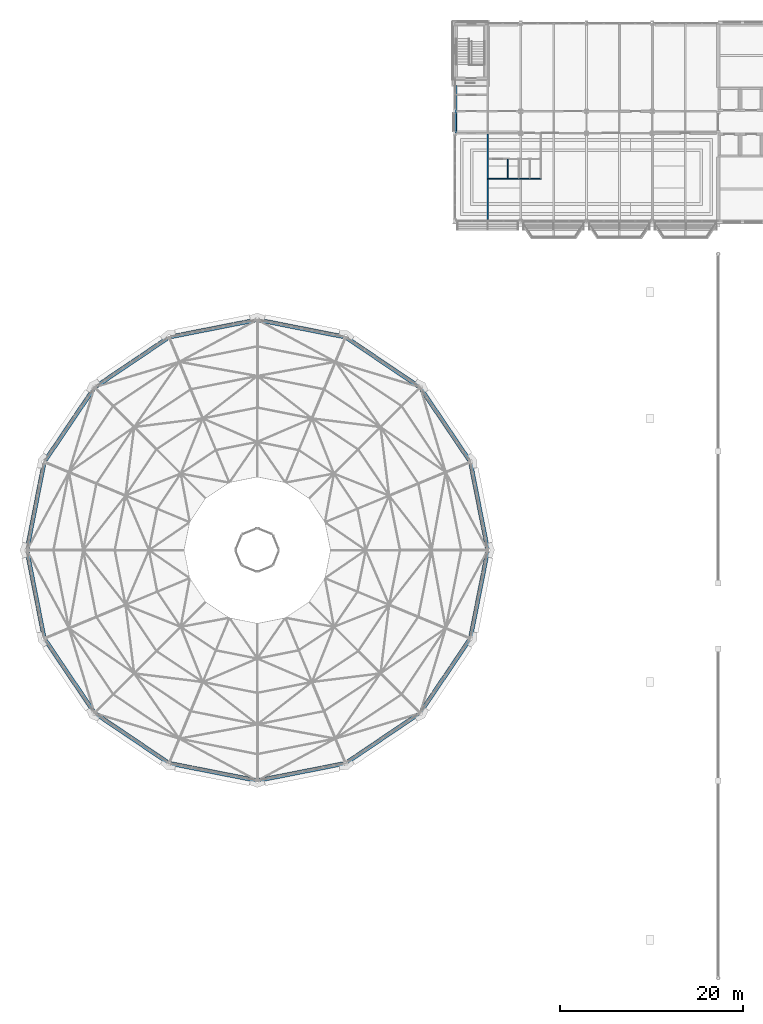
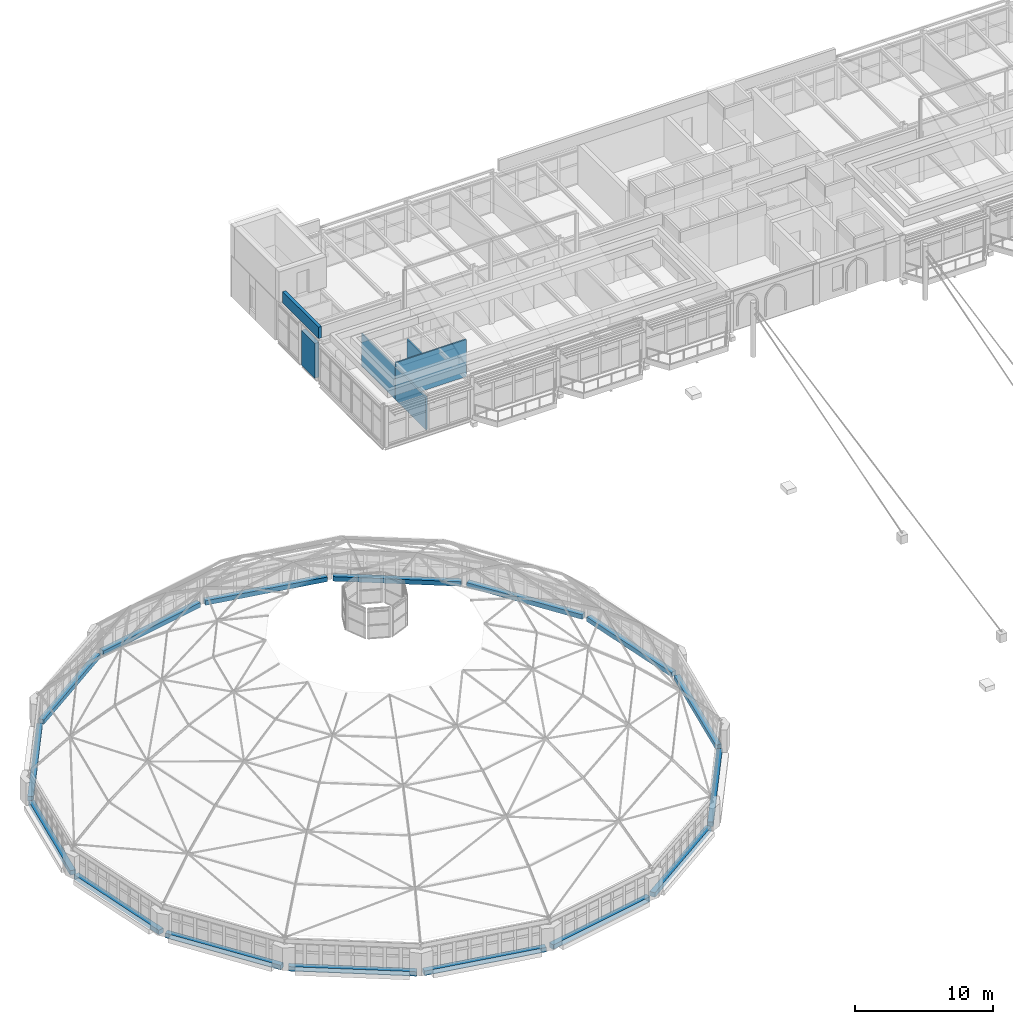
# One storey, part 48 of 68: 22 walls.
"""IFC4 building model written with IfcOpenShell, lengths in metres."""

import ifcopenshell
import ifcopenshell.guid

model = None  # the IFC model being written
_history = None  # IfcOwnerHistory: only IFC2X3 demands one
_inside = {}  # id of a spatial element -> (the spatial element, [elements in it])
_under = {}  # id of a project, library or spatial element -> (it, [spatial elements below it])
_declared = {}  # id of a project -> (the project, [libraries it declares])
_typed = {}  # id of a type object -> (the type object, [elements of that type])
_made_of = {}  # id of a material, layer set ... -> (it, [elements and type objects made of it])


def new_model(schema):
    """Start an empty IFC model of exactly this schema.

    Asked for "IFC4X3", IfcOpenShell would pick the latest addendum, in which some entities
    have other attributes; the version numbers below select the first issue.
    IFC2X3 requires an IfcOwnerHistory on every rooted entity: one is made here for all.
    """
    global model, _history
    if schema == "IFC4X3":
        model = ifcopenshell.file(schema_version=(4, 3, 0, 0))
    else:
        model = ifcopenshell.file(schema=schema)
    _inside.clear()
    _under.clear()
    _declared.clear()
    _typed.clear()
    _made_of.clear()
    _history = None
    if model.schema == "IFC2X3":
        org = make("IfcOrganization", Name="unknown")
        user = make(
            "IfcPersonAndOrganization",
            ThePerson=make("IfcPerson", FamilyName="unknown"),
            TheOrganization=org,
        )
        app = make(
            "IfcApplication",
            ApplicationDeveloper=org,
            Version="unknown",
            ApplicationFullName="unknown",
            ApplicationIdentifier="unknown",
        )
        _history = make(
            "IfcOwnerHistory",
            OwningUser=user,
            OwningApplication=app,
            ChangeAction="ADDED",
            CreationDate=0,
        )
    return model


def make(cls, **values):
    """One entity of the class cls with the attributes given. An attribute that is None is left unset."""
    return model.create_entity(
        cls, **{name: value for name, value in values.items() if value is not None}
    )


def rooted(cls, **values):
    """An entity with a GlobalId (a new one), such as an element, a storey or a relation."""
    return make(cls, GlobalId=ifcopenshell.guid.new(), OwnerHistory=_history, **values)


def si_unit(unit_type, name, prefix=None):
    """IfcSIUnit, for example si_unit("LENGTHUNIT", "METRE", prefix="MILLI")."""
    return make("IfcSIUnit", UnitType=unit_type, Prefix=prefix, Name=name)


def assignment(units):
    """IfcUnitAssignment: the units of a project."""
    return None if units is None else make("IfcUnitAssignment", Units=units)


def point(xyz):
    """IfcCartesianPoint."""
    return None if xyz is None else make("IfcCartesianPoint", Coordinates=xyz)


def direction(xyz):
    """IfcDirection."""
    return None if xyz is None else make("IfcDirection", DirectionRatios=xyz)


def frame(location, z_axis=None, x_axis=None):
    """IfcAxis2Placement3D, a coordinate frame: its origin and axes. An axis left out is left unset."""
    return make(
        "IfcAxis2Placement3D",
        Location=point(location),
        Axis=direction(z_axis),
        RefDirection=direction(x_axis),
    )


def frame_2d(location, x_axis=None):
    """IfcAxis2Placement2D, a coordinate frame in the plane: its origin and x axis."""
    return make(
        "IfcAxis2Placement2D", Location=point(location), RefDirection=direction(x_axis)
    )


def origin():
    """The frame at (0, 0, 0) with its axes left unset."""
    return frame((0.0, 0.0, 0.0))


def place(relative_to, where):
    """IfcLocalPlacement: puts the frame where relative to a parent placement (None: the world)."""
    return make(
        "IfcLocalPlacement", PlacementRelTo=relative_to, RelativePlacement=where
    )


def context(
    kind, dimensions, precision=None, world=None, true_north=None, identifier=None
):
    """IfcGeometricRepresentationContext, for example the 3D "Model" context."""
    return make(
        "IfcGeometricRepresentationContext",
        ContextIdentifier=identifier,
        ContextType=kind,
        CoordinateSpaceDimension=dimensions,
        Precision=precision,
        WorldCoordinateSystem=world,
        TrueNorth=true_north,
    )


def subcontext(parent, identifier, kind, view, scale=None):
    """IfcGeometricRepresentationSubContext, for example "Body" below "Model"."""
    return make(
        "IfcGeometricRepresentationSubContext",
        ContextIdentifier=identifier,
        ContextType=kind,
        ParentContext=parent,
        TargetScale=scale,
        TargetView=view,
    )


def project(units=None, contexts=None):
    """IfcProject with its units and contexts."""
    return rooted(
        "IfcProject",
        Name="project",
        RepresentationContexts=contexts,
        UnitsInContext=assignment(units),
    )


def spatial(cls, under=None, at=None, **own):
    """A site, building, storey or space (cls), placed at a placement, below another one or the project."""
    s = rooted(cls, ObjectPlacement=at, **own)
    if under is not None:
        _under.setdefault(under.id(), (under, []))[1].append(s)
    return s


def profile(cls, at=None, kind="AREA", **sizes):
    """A parametric profile (cls). Its sizes go by their IFC names, for example OverallWidth=200.0."""
    return make(cls, ProfileType=kind, Position=at, **sizes)


def rectangle(**sizes):
    """IfcRectangleProfileDef."""
    return profile("IfcRectangleProfileDef", **sizes)


def extrude(swept, where, along, depth):
    """IfcExtrudedAreaSolid: the profile swept, set in the frame where, extruded along a direction by depth."""
    return make(
        "IfcExtrudedAreaSolid",
        SweptArea=swept,
        Position=where,
        ExtrudedDirection=direction(along),
        Depth=depth,
    )


def shape(context_of_items, identifier, shape_type, items):
    """IfcShapeRepresentation: the items that make up one representation, for example the "Body"."""
    return make(
        "IfcShapeRepresentation",
        ContextOfItems=context_of_items,
        RepresentationIdentifier=identifier,
        RepresentationType=shape_type,
        Items=items,
    )


def material(Name=None, Category=None):
    """IfcMaterial."""
    return make("IfcMaterial", Name=Name, Category=Category)


def layer(
    of_material, thickness, ventilated=None, Name=None, Category=None, Priority=None
):
    """IfcMaterialLayer: one layer of a wall or slab, of a material (None: an air gap)."""
    return make(
        "IfcMaterialLayer",
        Material=of_material,
        LayerThickness=thickness,
        IsVentilated=ventilated,
        Name=Name,
        Category=Category,
        Priority=Priority,
    )


def layer_set(layers, Name=None):
    """IfcMaterialLayerSet."""
    return make("IfcMaterialLayerSet", MaterialLayers=layers, LayerSetName=Name)


def made_of(thing, what):
    """Note that an element or type object is made of a material, layer set ...; save() writes the relation."""
    if what is not None:
        _made_of.setdefault(what.id(), (what, []))[1].append(thing)
    return thing


def type_object(cls, material=None, **own):
    """A type object (cls), such as IfcWallType, which elements share."""
    return made_of(rooted(cls, **own), material)


def element(
    cls,
    number,
    at=None,
    inside=None,
    cuts=None,
    type_object=None,
    material=None,
    context=None,
    identifier="Body",
    shape_type=None,
    held_by="IfcProductDefinitionShape",
    body=None,
    shapes=None,
    **own,
):
    """One element of the class cls, such as IfcWall. Its Tag is "e" and its number.

    at: its placement. inside: the storey or other place that contains it. cuts: it is an
    opening in that element (IfcRelVoidsElement). A single representation is given by context,
    identifier, shape_type and body (its items); several are given by shapes. held_by: the class
    of the entity that holds the representations. save() writes the other relations.
    """
    e = rooted(cls, Tag="e%d" % number, ObjectPlacement=at, **own)
    if body is not None:
        shapes = [shape(context, identifier, shape_type, body)]
    if shapes is not None:
        e.Representation = make(held_by, Representations=shapes)
    if inside is not None:
        _inside.setdefault(inside.id(), (inside, []))[1].append(e)
    if cuts is not None:
        rooted(
            "IfcRelVoidsElement", RelatingBuildingElement=cuts, RelatedOpeningElement=e
        )
    if type_object is not None:
        _typed.setdefault(type_object.id(), (type_object, []))[1].append(e)
    return made_of(e, material)


def aggregate(whole, parts):
    """IfcRelAggregates: a whole, such as a stair, and the parts it consists of."""
    return rooted("IfcRelAggregates", RelatingObject=whole, RelatedObjects=parts)


def save(model, path):
    """Write the relations noted so far, then the file.

    IfcRelAggregates (storeys below a building ...), IfcRelContainedInSpatialStructure (elements
    in a storey), IfcRelDefinesByType, IfcRelAssociatesMaterial and IfcRelDeclares: one each for
    every whole, place, type object, material and project.
    """
    for whole, parts in _under.values():
        aggregate(whole, parts)
    for where, things in _inside.values():
        rooted(
            "IfcRelContainedInSpatialStructure",
            RelatedElements=things,
            RelatingStructure=where,
        )
    for kind, things in _typed.values():
        rooted("IfcRelDefinesByType", RelatedObjects=things, RelatingType=kind)
    for what, things in _made_of.values():
        rooted("IfcRelAssociatesMaterial", RelatedObjects=things, RelatingMaterial=what)
    for by, libraries in _declared.values():
        rooted("IfcRelDeclares", RelatingContext=by, RelatedDefinitions=libraries)
    model.write(path)


model = new_model("IFC4")

# Units and contexts
model_context = context("Model", 3, precision=1e-05, world=origin(), true_north=direction((0.0, 1.0)))
body_context = subcontext(model_context, "Body", "Model", "MODEL_VIEW")
ifc_project = project(units=[si_unit("LENGTHUNIT", "METRE"), si_unit("AREAUNIT", "SQUARE_METRE"), si_unit("VOLUMEUNIT", "CUBIC_METRE"), si_unit("PLANEANGLEUNIT", "RADIAN"), si_unit("MASSUNIT", "GRAM", prefix="KILO")], contexts=[model_context])

# Site, building, storey
site_placement = place(None, origin())
site = spatial("IfcSite", under=ifc_project, at=site_placement, CompositionType="ELEMENT")
building_placement = place(site_placement, origin())
building = spatial("IfcBuilding", under=site, at=building_placement, Name="Kupolbacken Congress Centre", CompositionType="ELEMENT")
storey_placement = place(building_placement, frame((0.0, 0.0, 25.199951171875)))
storey = spatial("IfcBuildingStorey", under=building, at=storey_placement, Name="L07", CompositionType="ELEMENT", Elevation=25.199951171875)

# Walls
ifc_material_1 = material(Name="Brick", Category="masonry")
ifc_layer_1 = layer(ifc_material_1, 0.10791015625)
ifc_material_2 = material(Name="Air cavity", Category="air")
ifc_layer_2 = layer(ifc_material_2, 0.050048828125, ventilated=True)
ifc_material_3 = material(Name="Mineral wool", Category="insulation")
ifc_layer_3 = layer(ifc_material_3, 0.1298828125)
ifc_material_4 = material(Name="Steel studs", Category="metal")
ifc_layer_4 = layer(ifc_material_4, 0.052001953125)
ifc_layer_set_1 = layer_set([ifc_layer_1, ifc_layer_2, ifc_layer_3, ifc_layer_4], Name="Brick / Mineral wool / Steel studs")
wall_type_1 = type_object("IfcWallType", Name="EW02 external cavity wall 340", PredefinedType="SOLIDWALL", material=ifc_layer_set_1)
wall_1_placement = place(storey_placement, frame((64.800048828125, 134.175048828125, 0.0), z_axis=(0.0, 0.0, 1.0), x_axis=(0.0, -1.0, 0.0)))
element("IfcWall", 1, at=wall_1_placement, inside=storey, type_object=wall_type_1, Name="E/T/W/L07/122", PredefinedType="SOLIDWALL", context=body_context, shape_type="SweptSolid", body=[
    extrude(rectangle(XDim=1.949951171875, YDim=0.340087890625, at=frame_2d((0.97509765625, 0.0))), origin(), (0.0, 0.0, 1.0), 3.090087890625),
])
ifc_material_5 = material(Name="Limestone", Category="masonry")
ifc_layer_5 = layer(ifc_material_5, 0.1201171875)
ifc_layer_6 = layer(ifc_material_2, 0.0400390625, ventilated=True)
ifc_layer_7 = layer(ifc_material_3, 0.159912109375)
ifc_material_6 = material(Name="Concrete block", Category="masonry")
ifc_layer_8 = layer(ifc_material_6, 0.1201171875)
ifc_layer_set_2 = layer_set([ifc_layer_5, ifc_layer_6, ifc_layer_7, ifc_layer_8], Name="Limestone / Mineral wool / Concrete block")
wall_type_2 = type_object("IfcWallType", Name="EW05 external cavity wall 440", PredefinedType="SOLIDWALL", material=ifc_layer_set_2)
for number, where, z_axis, x_axis, name in (
    (2, (20.039794921875, 76.542724609375, 0.0), (0.0, 0.0, 1.0), (0.559394224363, -0.828901744327, 0.0), "Clerestory kerb wall 01"),
    (3, (25.607177734375, 68.460205078125, 0.0), (0.0, 0.0, 1.0), (0.828901744327, -0.559394224363, 0.0), "Clerestory kerb wall 02"),
):
    element("IfcWall", number, at=place(storey_placement, frame(where, z_axis=z_axis, x_axis=x_axis)), inside=storey, type_object=wall_type_2, Name=name, PredefinedType="SOLIDWALL", context=body_context, shape_type="SweptSolid", body=[
        extrude(rectangle(XDim=9.332275390625, YDim=0.43994140625, at=frame_2d((4.666015625, 0.0))), origin(), (0.0, 0.0, 1.0), 0.400146484375),
    ])
wall_2_placement = place(storey_placement, frame((33.79541015625, 63.0517578125, 0.0), z_axis=(0.0, 0.0, 1.0), x_axis=(0.981160743588, -0.193193155264, 0.0)))
element("IfcWall", 4, at=wall_2_placement, inside=storey, type_object=wall_type_2, Name="Clerestory kerb wall 03", PredefinedType="SOLIDWALL", context=body_context, shape_type="SweptSolid", body=[
    extrude(rectangle(XDim=9.3349609375, YDim=0.43994140625, at=frame_2d((4.66748046875, 0.0))), origin(), (0.0, 0.0, 1.0), 0.400146484375),
])
wall_3_placement = place(storey_placement, frame((43.4453125, 61.248291015625, 0.0), z_axis=(0.0, 0.0, 1.0), x_axis=(0.98116171968, 0.193188197971, 0.0)))
element("IfcWall", 5, at=wall_3_placement, inside=storey, type_object=wall_type_2, Name="Clerestory kerb wall 04", PredefinedType="SOLIDWALL", context=body_context, shape_type="SweptSolid", body=[
    extrude(rectangle(XDim=9.335205078125, YDim=0.43994140625, at=frame_2d((4.66748046875, 0.0))), origin(), (0.0, 0.0, 1.0), 0.400146484375),
])
for number, where, z_axis, x_axis, name in (
    (6, (53.05712890625, 63.23974609375, 0.0), (0.0, 0.0, 1.0), (0.828901744327, 0.559394224363, 0.0), "Clerestory kerb wall 05"),
    (7, (61.139892578125, 68.80712890625, 0.0), (0.0, 0.0, 1.0), (0.559376249525, 0.828913874577, 0.0), "Clerestory kerb wall 06"),
):
    element("IfcWall", number, at=place(storey_placement, frame(where, z_axis=z_axis, x_axis=x_axis)), inside=storey, type_object=wall_type_2, Name=name, PredefinedType="SOLIDWALL", context=body_context, shape_type="SweptSolid", body=[
        extrude(rectangle(XDim=9.332275390625, YDim=0.43994140625, at=frame_2d((4.666015625, 0.0))), origin(), (0.0, 0.0, 1.0), 0.400146484375),
    ])
for number, where, z_axis, x_axis, name in (
    (8, (66.54833984375, 76.995361328125, 0.0), (0.0, 0.0, 1.0), (0.193188197971, 0.98116171968, 0.0), "Clerestory kerb wall 07"),
    (9, (68.351806640625, 86.645263671875, 0.0), (0.0, 0.0, 1.0), (-0.193188197971, 0.98116171968, 0.0), "Clerestory kerb wall 08"),
):
    element("IfcWall", number, at=place(storey_placement, frame(where, z_axis=z_axis, x_axis=x_axis)), inside=storey, type_object=wall_type_2, Name=name, PredefinedType="SOLIDWALL", context=body_context, shape_type="SweptSolid", body=[
        extrude(rectangle(XDim=9.335205078125, YDim=0.43994140625, at=frame_2d((4.66748046875, 0.0))), origin(), (0.0, 0.0, 1.0), 0.400146484375),
    ])
wall_4_placement = place(storey_placement, frame((66.360107421875, 96.25732421875, 0.0), z_axis=(0.0, 0.0, 1.0), x_axis=(-0.559388379961, 0.828905688462, 0.0)))
element("IfcWall", 10, at=wall_4_placement, inside=storey, type_object=wall_type_2, Name="Clerestory kerb wall 09", PredefinedType="SOLIDWALL", context=body_context, shape_type="SweptSolid", body=[
    extrude(rectangle(XDim=9.33203125, YDim=0.43994140625, at=frame_2d((4.666015625, 0.0))), origin(), (0.0, 0.0, 1.0), 0.400146484375),
])
wall_5_placement = place(storey_placement, frame((60.792724609375, 104.33984375, 0.0), z_axis=(0.0, 0.0, 1.0), x_axis=(-0.828913874577, 0.559376249525, 0.0)))
element("IfcWall", 11, at=wall_5_placement, inside=storey, type_object=wall_type_2, Name="Clerestory kerb wall 10", PredefinedType="SOLIDWALL", context=body_context, shape_type="SweptSolid", body=[
    extrude(rectangle(XDim=9.332275390625, YDim=0.43994140625, at=frame_2d((4.666015625, 0.0))), origin(), (0.0, 0.0, 1.0), 0.400146484375),
])
wall_6_placement = place(storey_placement, frame((52.604736328125, 109.748291015625, 0.0), z_axis=(0.0, 0.0, 1.0), x_axis=(-0.98116171968, 0.193188197971, 0.0)))
element("IfcWall", 12, at=wall_6_placement, inside=storey, type_object=wall_type_2, Name="Clerestory kerb wall 11", PredefinedType="SOLIDWALL", context=body_context, shape_type="SweptSolid", body=[
    extrude(rectangle(XDim=9.335205078125, YDim=0.43994140625, at=frame_2d((4.66748046875, 0.0))), origin(), (0.0, 0.0, 1.0), 0.400146484375),
])
wall_7_placement = place(storey_placement, frame((42.95458984375, 111.5517578125, 0.0), z_axis=(0.0, 0.0, 1.0), x_axis=(-0.981160743588, -0.193193155264, 0.0)))
element("IfcWall", 13, at=wall_7_placement, inside=storey, type_object=wall_type_2, Name="Clerestory kerb wall 12", PredefinedType="SOLIDWALL", context=body_context, shape_type="SweptSolid", body=[
    extrude(rectangle(XDim=9.3349609375, YDim=0.43994140625, at=frame_2d((4.66748046875, 0.0))), origin(), (0.0, 0.0, 1.0), 0.400146484375),
])
wall_8_placement = place(storey_placement, frame((33.3427734375, 109.56005859375, 0.0), z_axis=(0.0, 0.0, 1.0), x_axis=(-0.828913874577, -0.559376249525, 0.0)))
element("IfcWall", 14, at=wall_8_placement, inside=storey, type_object=wall_type_2, Name="Clerestory kerb wall 13", PredefinedType="SOLIDWALL", context=body_context, shape_type="SweptSolid", body=[
    extrude(rectangle(XDim=9.332275390625, YDim=0.43994140625, at=frame_2d((4.666015625, 0.0))), origin(), (0.0, 0.0, 1.0), 0.400146484375),
])
wall_9_placement = place(storey_placement, frame((25.26025390625, 103.99267578125, 0.0), z_axis=(0.0, 0.0, 1.0), x_axis=(-0.559406354834, -0.828893557806, 0.0)))
element("IfcWall", 15, at=wall_9_placement, inside=storey, type_object=wall_type_2, Name="Clerestory kerb wall 14", PredefinedType="SOLIDWALL", context=body_context, shape_type="SweptSolid", body=[
    extrude(rectangle(XDim=9.33203125, YDim=0.43994140625, at=frame_2d((4.666015625, 0.0))), origin(), (0.0, 0.0, 1.0), 0.400146484375),
])
for number, where, z_axis, x_axis, name in (
    (16, (19.851806640625, 95.8046875, 0.0), (0.0, 0.0, 1.0), (-0.193188197971, -0.98116171968, 0.0), "Clerestory kerb wall 15"),
    (17, (18.04833984375, 86.15478515625, 0.0), (0.0, 0.0, 1.0), (0.193188197971, -0.98116171968, 0.0), "Clerestory kerb wall 16"),
):
    element("IfcWall", number, at=place(storey_placement, frame(where, z_axis=z_axis, x_axis=x_axis)), inside=storey, type_object=wall_type_2, Name=name, PredefinedType="SOLIDWALL", context=body_context, shape_type="SweptSolid", body=[
        extrude(rectangle(XDim=9.335205078125, YDim=0.43994140625, at=frame_2d((4.66748046875, 0.0))), origin(), (0.0, 0.0, 1.0), 0.400146484375),
    ])
ifc_material_7 = material(Name="Gypsum board", Category="drywall")
ifc_layer_9 = layer(ifc_material_7, 0.114990234375)
ifc_layer_set_3 = layer_set([ifc_layer_9], Name="Gypsum board")
wall_type_3 = type_object("IfcWallType", Name="P04 partition 115", PredefinedType="PARTITIONING", material=ifc_layer_set_3)
wall_10_placement = place(storey_placement, frame((68.33251953125, 127.0, 0.0), z_axis=(0.0, 0.0, 1.0), x_axis=(1.0, 0.0, 0.0)))
element("IfcWall", 18, at=wall_10_placement, inside=storey, type_object=wall_type_3, Name="T/wall/L07/x/12700/6840", PredefinedType="PARTITIONING", context=body_context, shape_type="SweptSolid", body=[
    extrude(rectangle(XDim=5.925048828125, YDim=0.114990234375, at=frame_2d((2.96240234375, 0.0))), origin(), (0.0, 0.0, 1.0), 3.2900390625),
])
wall_11_placement = place(storey_placement, frame((68.39990234375, 127.0576171875, 0.0), z_axis=(0.0, 0.0, 1.0), x_axis=(0.0, 1.0, 0.0)))
element("IfcWall", 19, at=wall_11_placement, inside=storey, type_object=wall_type_3, Name="T/wall/L07/y/6840/12700", PredefinedType="PARTITIONING", context=body_context, shape_type="SweptSolid", body=[
    extrude(rectangle(XDim=4.875, YDim=0.114990234375, at=frame_2d((2.4375, 0.0))), origin(), (0.0, 0.0, 1.0), 2.89013671875),
])
wall_12_placement = place(storey_placement, frame((70.60009765625, 127.0576171875, 0.0), z_axis=(0.0, 0.0, 1.0), x_axis=(0.0, 1.0, 0.0)))
element("IfcWall", 20, at=wall_12_placement, inside=storey, type_object=wall_type_3, Name="T/wall/L07/y/7060/12700", PredefinedType="PARTITIONING", context=body_context, shape_type="SweptSolid", body=[
    extrude(rectangle(XDim=2.0849609375, YDim=0.114990234375, at=frame_2d((1.04248046875, 0.0))), origin(), (0.0, 0.0, 1.0), 3.2900390625),
])
ifc_material_8 = material(Name="Gypsum board", Category="drywall")
ifc_layer_10 = layer(ifc_material_8, 0.135009765625)
ifc_layer_set_4 = layer_set([ifc_layer_10], Name="Gypsum board")
wall_type_4 = type_object("IfcWallType", Name="P06 compartment wall 135", PredefinedType="PARTITIONING", material=ifc_layer_set_4)
wall_13_placement = place(storey_placement, frame((68.39990234375, 122.570068359375, 0.0), z_axis=(0.0, 0.0, 1.0), x_axis=(0.0, 1.0, 0.0)))
element("IfcWall", 21, at=wall_13_placement, inside=storey, type_object=wall_type_4, Name="T/wall/L07/y/6840/12240", PredefinedType="PARTITIONING", context=body_context, shape_type="SweptSolid", body=[
    extrude(rectangle(XDim=4.372314453125, YDim=0.135009765625, at=frame_2d((2.18603515625, 0.0))), origin(), (0.0, 0.0, 1.0), 2.89013671875),
])
ifc_layer_11 = layer(ifc_material_1, 0.10791015625)
ifc_layer_12 = layer(ifc_material_6, 0.152099609375)
ifc_layer_set_5 = layer_set([ifc_layer_11, ifc_layer_12], Name="Brick / Concrete block")
wall_type_5 = type_object("IfcWallType", Name="PW2 parapet 260", PredefinedType="PARAPET", material=ifc_layer_set_5)
wall_14_placement = place(storey_placement, frame((64.929931640625, 132.0, 3.60009765625), z_axis=(0.0, 0.0, 1.0), x_axis=(0.0, 1.0, 0.0)))
element("IfcWall", 22, at=wall_14_placement, inside=storey, type_object=wall_type_5, Name="E/T/parapet/W", PredefinedType="PARAPET", context=body_context, shape_type="SweptSolid", body=[
    extrude(rectangle(XDim=5.219970703125, YDim=0.260009765625, at=frame_2d((2.60986328125, 0.0))), origin(), (0.0, 0.0, 1.0), 1.0),
])

save(model, "model.ifc")
